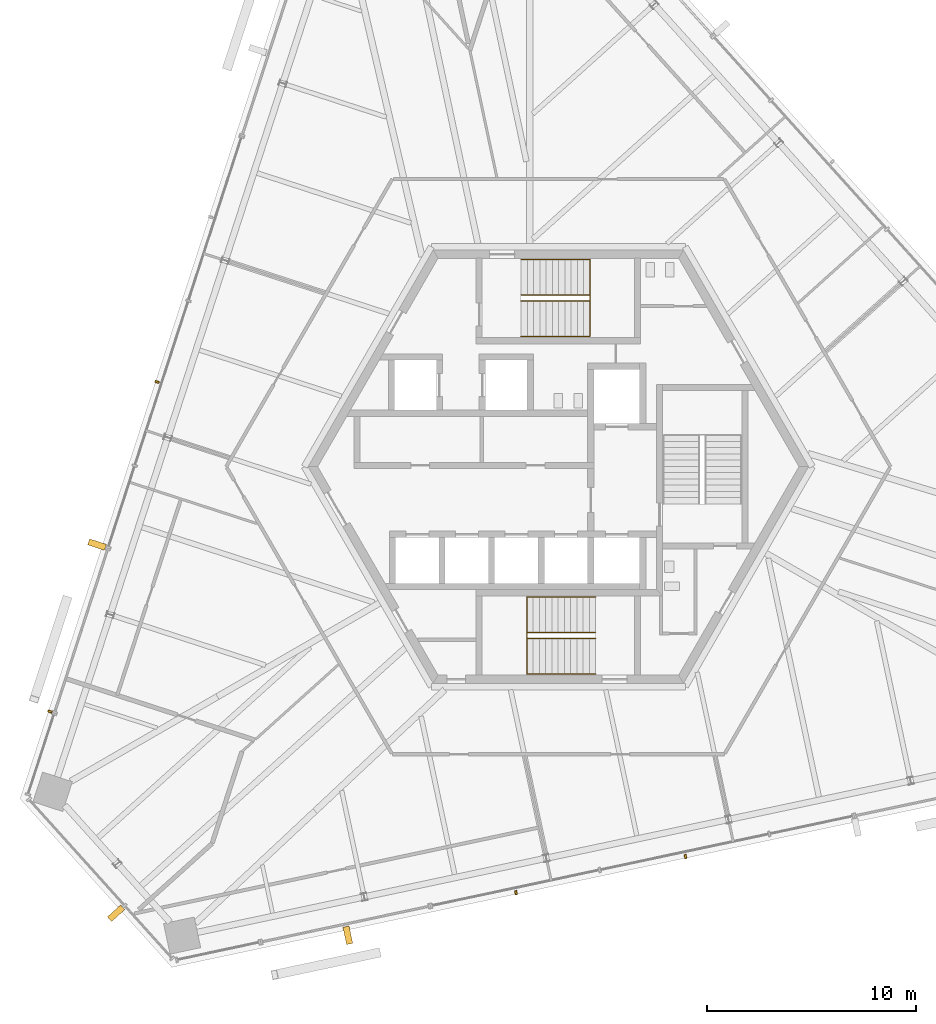
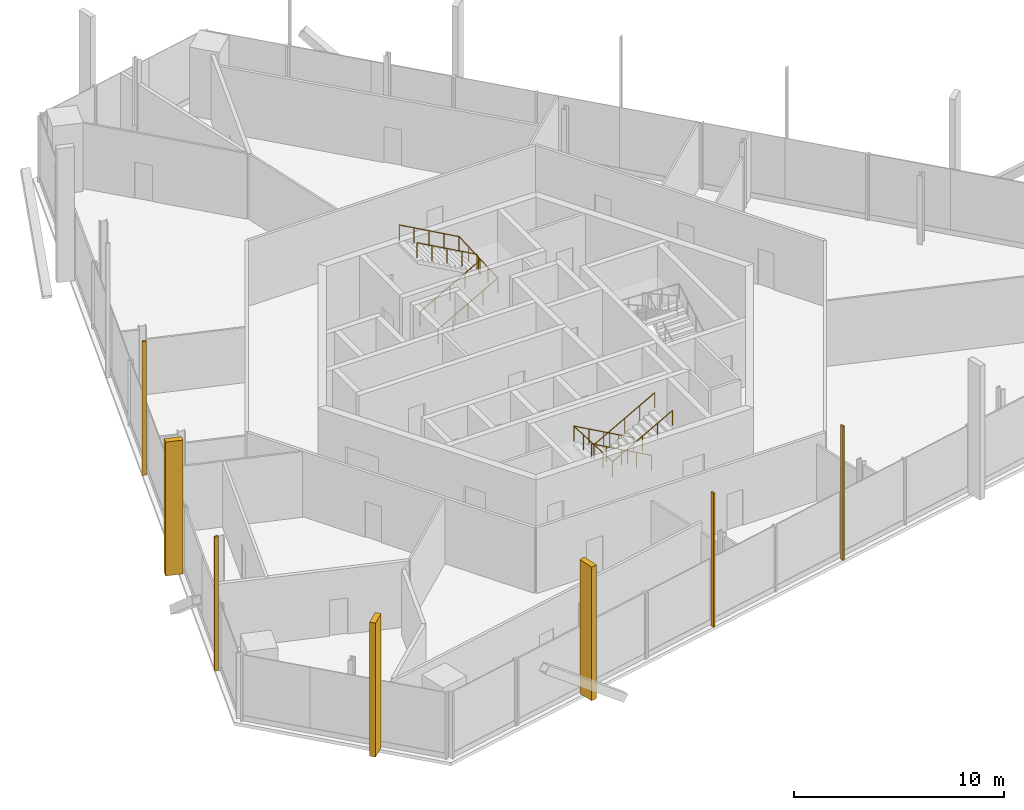
# One storey, part 14 of 17: 7 shading devices, 4 railings.
"""IFC4 building model written with IfcOpenShell, lengths in metres."""

from ifc_helpers import new_model, si_unit, direction, frame, origin, origin_2d, place, context, subcontext, project, spatial, rectangle, circle, extrude, source, transform, mapped, material, type_object, element, save


model = new_model("IFC4")

# Units and contexts
model_context = context("Model", 3, precision=1e-05, world=origin(), true_north=direction((0.0, 1.0)))
body_context = subcontext(model_context, "Body", "Model", "MODEL_VIEW")
ifc_project = project(units=[si_unit("LENGTHUNIT", "METRE"), si_unit("AREAUNIT", "SQUARE_METRE"), si_unit("VOLUMEUNIT", "CUBIC_METRE"), si_unit("PLANEANGLEUNIT", "RADIAN"), si_unit("MASSUNIT", "GRAM", prefix="KILO")], contexts=[model_context])

# Site, building, storey
site_placement = place(None, origin())
site = spatial("IfcSite", under=ifc_project, at=site_placement, CompositionType="ELEMENT")
building_placement = place(site_placement, origin())
building = spatial("IfcBuilding", under=site, at=building_placement, Name="Triune Harvest Tower", CompositionType="ELEMENT")
storey_placement = place(building_placement, frame((0.0, 0.0, 288.699951171875)))
storey = spatial("IfcBuildingStorey", under=building, at=storey_placement, Name="L76", CompositionType="ELEMENT", Elevation=288.699951171875)

# Railings
ifc_material_1 = material(Name="Stainless steel AISI 316", Category="steel")
railing_type = type_object("IfcRailingType", Name="Stair handrail", PredefinedType="HANDRAIL", material=ifc_material_1)
shared_shape_1 = source(origin(), body_context, "Body", "SweptSolid", [
    extrude(circle(Radius=0.02392578125, at=origin_2d()), frame((0.0, 0.0, 0.8759765625), z_axis=(0.874169478083, 0.0, 0.485620966999), x_axis=(0.0, 1.0, 0.0)), (0.0, 0.0, 1.0), 3.775146484375),
    extrude(circle(Radius=0.02392578125, at=origin_2d()), frame((3.300048828125, 0.0, 2.708984375), z_axis=(0.0, 0.998985998549, 0.045021935797), x_axis=(-1.0, 0.0, 0.0)), (0.0, 0.0, 1.0), 3.70361328125),
    extrude(circle(Radius=0.02392578125, at=origin_2d()), frame((3.300048828125, 3.699951171875, 2.8759765625), z_axis=(-0.874169478083, 0.0, 0.485620966999), x_axis=(0.0, -1.0, 0.0)), (0.0, 0.0, 1.0), 3.775146484375),
    extrude(circle(Radius=0.02099609375, at=origin_2d()), origin(), (0.0, 0.0, 1.0), 0.851806640625),
    extrude(circle(Radius=0.02099609375, at=origin_2d()), frame((0.824951171875, 0.0, 0.458251953125)), (0.0, 0.0, 1.0), 0.851806640625),
    extrude(circle(Radius=0.02099609375, at=origin_2d()), frame((1.64990234375, 0.0, 0.91650390625)), (0.0, 0.0, 1.0), 0.851806640625),
    extrude(circle(Radius=0.02099609375, at=origin_2d()), frame((2.47509765625, 0.0, 1.375)), (0.0, 0.0, 1.0), 0.851806640625),
    extrude(circle(Radius=0.02099609375, at=origin_2d()), frame((3.300048828125, 0.0, 1.833251953125)), (0.0, 0.0, 1.0), 0.851806640625),
    extrude(circle(Radius=0.02099609375, at=origin_2d()), frame((3.300048828125, 0.925048828125, 1.875)), (0.0, 0.0, 1.0), 0.851806640625),
    extrude(circle(Radius=0.02099609375, at=origin_2d()), frame((3.300048828125, 1.85009765625, 1.91650390625)), (0.0, 0.0, 1.0), 0.851806640625),
    extrude(circle(Radius=0.02099609375, at=origin_2d()), frame((3.300048828125, 2.77490234375, 1.958251953125)), (0.0, 0.0, 1.0), 0.851806640625),
    extrude(circle(Radius=0.02099609375, at=origin_2d()), frame((3.300048828125, 3.699951171875, 2.0)), (0.0, 0.0, 1.0), 0.851806640625),
    extrude(circle(Radius=0.02099609375, at=origin_2d()), frame((2.47509765625, 3.699951171875, 2.458251953125)), (0.0, 0.0, 1.0), 0.851806640625),
    extrude(circle(Radius=0.02099609375, at=origin_2d()), frame((1.64990234375, 3.699951171875, 2.91650390625)), (0.0, 0.0, 1.0), 0.851806640625),
    extrude(circle(Radius=0.02099609375, at=origin_2d()), frame((0.824951171875, 3.699951171875, 3.375)), (0.0, 0.0, 1.0), 0.851806640625),
    extrude(circle(Radius=0.02099609375, at=origin_2d()), frame((0.0, 3.699951171875, 3.833251953125)), (0.0, 0.0, 1.0), 0.851806640625),
])
railing_1_placement = place(storey_placement, frame((-1.7900390625, 6.239990234375, 0.166748046875)))
element("IfcRailing", 1, at=railing_1_placement, inside=storey, type_object=railing_type, Name="Exit stair north wall handrail", PredefinedType="HANDRAIL", context=body_context, shape_type="MappedRepresentation", body=[
    mapped(shared_shape_1, transform((0.0, 0.0, 0.0), scale=1.0)),
])
shared_shape_2 = source(origin(), body_context, "Body", "SweptSolid", [
    extrude(circle(Radius=0.02392578125, at=origin_2d()), frame((0.0, 0.0, 0.8759765625), z_axis=(0.874169478083, 0.0, 0.485620966999), x_axis=(0.0, 1.0, 0.0)), (0.0, 0.0, 1.0), 3.775146484375),
    extrude(circle(Radius=0.02392578125, at=origin_2d()), frame((3.300048828125, 0.0, 2.708984375), z_axis=(0.0, 0.874090171491, 0.485763699861), x_axis=(-1.0, 0.0, 0.0)), (0.0, 0.0, 1.0), 0.34326171875),
    extrude(circle(Radius=0.02392578125, at=origin_2d()), frame((3.300048828125, 0.300048828125, 2.8759765625), z_axis=(-0.874169478083, 0.0, 0.485620966999), x_axis=(0.0, -1.0, 0.0)), (0.0, 0.0, 1.0), 3.775146484375),
    extrude(circle(Radius=0.02099609375, at=origin_2d()), origin(), (0.0, 0.0, 1.0), 0.851806640625),
    extrude(circle(Radius=0.02099609375, at=origin_2d()), frame((0.824951171875, 0.0, 0.458251953125)), (0.0, 0.0, 1.0), 0.851806640625),
    extrude(circle(Radius=0.02099609375, at=origin_2d()), frame((1.64990234375, 0.0, 0.91650390625)), (0.0, 0.0, 1.0), 0.851806640625),
    extrude(circle(Radius=0.02099609375, at=origin_2d()), frame((2.47509765625, 0.0, 1.375)), (0.0, 0.0, 1.0), 0.851806640625),
    extrude(circle(Radius=0.02099609375, at=origin_2d()), frame((3.300048828125, 0.0, 1.833251953125)), (0.0, 0.0, 1.0), 0.851806640625),
    extrude(circle(Radius=0.02099609375, at=origin_2d()), frame((3.300048828125, 0.300048828125, 2.0)), (0.0, 0.0, 1.0), 0.851806640625),
    extrude(circle(Radius=0.02099609375, at=origin_2d()), frame((2.47509765625, 0.300048828125, 2.458251953125)), (0.0, 0.0, 1.0), 0.851806640625),
    extrude(circle(Radius=0.02099609375, at=origin_2d()), frame((1.64990234375, 0.300048828125, 2.91650390625)), (0.0, 0.0, 1.0), 0.851806640625),
    extrude(circle(Radius=0.02099609375, at=origin_2d()), frame((0.824951171875, 0.300048828125, 3.375)), (0.0, 0.0, 1.0), 0.851806640625),
    extrude(circle(Radius=0.02099609375, at=origin_2d()), frame((0.0, 0.300048828125, 3.833251953125)), (0.0, 0.0, 1.0), 0.851806640625),
])
railing_2_placement = place(storey_placement, frame((-1.7900390625, 7.93994140625, 0.166748046875)))
element("IfcRailing", 2, at=railing_2_placement, inside=storey, type_object=railing_type, Name="Exit stair north centre handrail", PredefinedType="HANDRAIL", context=body_context, shape_type="MappedRepresentation", body=[
    mapped(shared_shape_2, transform((0.0, 0.0, 0.0), scale=1.0)),
])
shared_shape_3 = source(origin(), body_context, "Body", "SweptSolid", [
    extrude(circle(Radius=0.02392578125, at=origin_2d()), frame((0.0, 0.0, 0.8759765625), z_axis=(-0.874169478083, 0.0, 0.485620966999), x_axis=(0.0, -1.0, 0.0)), (0.0, 0.0, 1.0), 3.775146484375),
    extrude(circle(Radius=0.02392578125, at=origin_2d()), frame((-3.300048828125, 0.0, 2.708984375), z_axis=(0.0, -0.998985998549, 0.045021935797), x_axis=(1.0, 0.0, 0.0)), (0.0, 0.0, 1.0), 3.70361328125),
    extrude(circle(Radius=0.02392578125, at=origin_2d()), frame((-3.300048828125, -3.699951171875, 2.8759765625), z_axis=(0.874169478083, 0.0, 0.485620966999), x_axis=(0.0, 1.0, 0.0)), (0.0, 0.0, 1.0), 3.775146484375),
    extrude(circle(Radius=0.02099609375, at=origin_2d()), origin(), (0.0, 0.0, 1.0), 0.851806640625),
    extrude(circle(Radius=0.02099609375, at=origin_2d()), frame((-0.824951171875, 0.0, 0.458251953125)), (0.0, 0.0, 1.0), 0.851806640625),
    extrude(circle(Radius=0.02099609375, at=origin_2d()), frame((-1.64990234375, 0.0, 0.91650390625)), (0.0, 0.0, 1.0), 0.851806640625),
    extrude(circle(Radius=0.02099609375, at=origin_2d()), frame((-2.47509765625, 0.0, 1.375)), (0.0, 0.0, 1.0), 0.851806640625),
    extrude(circle(Radius=0.02099609375, at=origin_2d()), frame((-3.300048828125, 0.0, 1.833251953125)), (0.0, 0.0, 1.0), 0.851806640625),
    extrude(circle(Radius=0.02099609375, at=origin_2d()), frame((-3.300048828125, -0.925048828125, 1.875)), (0.0, 0.0, 1.0), 0.851806640625),
    extrude(circle(Radius=0.02099609375, at=origin_2d()), frame((-3.300048828125, -1.85009765625, 1.91650390625)), (0.0, 0.0, 1.0), 0.851806640625),
    extrude(circle(Radius=0.02099609375, at=origin_2d()), frame((-3.300048828125, -2.77490234375, 1.958251953125)), (0.0, 0.0, 1.0), 0.851806640625),
    extrude(circle(Radius=0.02099609375, at=origin_2d()), frame((-3.300048828125, -3.699951171875, 2.0)), (0.0, 0.0, 1.0), 0.851806640625),
    extrude(circle(Radius=0.02099609375, at=origin_2d()), frame((-2.47509765625, -3.699951171875, 2.458251953125)), (0.0, 0.0, 1.0), 0.851806640625),
    extrude(circle(Radius=0.02099609375, at=origin_2d()), frame((-1.64990234375, -3.699951171875, 2.91650390625)), (0.0, 0.0, 1.0), 0.851806640625),
    extrude(circle(Radius=0.02099609375, at=origin_2d()), frame((-0.824951171875, -3.699951171875, 3.375)), (0.0, 0.0, 1.0), 0.851806640625),
    extrude(circle(Radius=0.02099609375, at=origin_2d()), frame((0.0, -3.699951171875, 3.833251953125)), (0.0, 0.0, 1.0), 0.851806640625),
])
railing_3_placement = place(storey_placement, frame((1.7900390625, -6.239990234375, 0.166748046875)))
element("IfcRailing", 3, at=railing_3_placement, inside=storey, type_object=railing_type, Name="Exit stair south wall handrail", PredefinedType="HANDRAIL", context=body_context, shape_type="MappedRepresentation", body=[
    mapped(shared_shape_3, transform((0.0, 0.0, 0.0), scale=1.0)),
])
shared_shape_4 = source(origin(), body_context, "Body", "SweptSolid", [
    extrude(circle(Radius=0.02392578125, at=origin_2d()), frame((0.0, 0.0, 0.8759765625), z_axis=(-0.874169478083, 0.0, 0.485620966999), x_axis=(0.0, -1.0, 0.0)), (0.0, 0.0, 1.0), 3.775146484375),
    extrude(circle(Radius=0.02392578125, at=origin_2d()), frame((-3.300048828125, 0.0, 2.708984375), z_axis=(0.0, -0.874090171491, 0.485763699861), x_axis=(1.0, 0.0, 0.0)), (0.0, 0.0, 1.0), 0.34326171875),
    extrude(circle(Radius=0.02392578125, at=origin_2d()), frame((-3.300048828125, -0.300048828125, 2.8759765625), z_axis=(0.874169478083, 0.0, 0.485620966999), x_axis=(0.0, 1.0, 0.0)), (0.0, 0.0, 1.0), 3.775146484375),
    extrude(circle(Radius=0.02099609375, at=origin_2d()), origin(), (0.0, 0.0, 1.0), 0.851806640625),
    extrude(circle(Radius=0.02099609375, at=origin_2d()), frame((-0.824951171875, 0.0, 0.458251953125)), (0.0, 0.0, 1.0), 0.851806640625),
    extrude(circle(Radius=0.02099609375, at=origin_2d()), frame((-1.64990234375, 0.0, 0.91650390625)), (0.0, 0.0, 1.0), 0.851806640625),
    extrude(circle(Radius=0.02099609375, at=origin_2d()), frame((-2.47509765625, 0.0, 1.375)), (0.0, 0.0, 1.0), 0.851806640625),
    extrude(circle(Radius=0.02099609375, at=origin_2d()), frame((-3.300048828125, 0.0, 1.833251953125)), (0.0, 0.0, 1.0), 0.851806640625),
    extrude(circle(Radius=0.02099609375, at=origin_2d()), frame((-3.300048828125, -0.300048828125, 2.0)), (0.0, 0.0, 1.0), 0.851806640625),
    extrude(circle(Radius=0.02099609375, at=origin_2d()), frame((-2.47509765625, -0.300048828125, 2.458251953125)), (0.0, 0.0, 1.0), 0.851806640625),
    extrude(circle(Radius=0.02099609375, at=origin_2d()), frame((-1.64990234375, -0.300048828125, 2.91650390625)), (0.0, 0.0, 1.0), 0.851806640625),
    extrude(circle(Radius=0.02099609375, at=origin_2d()), frame((-0.824951171875, -0.300048828125, 3.375)), (0.0, 0.0, 1.0), 0.851806640625),
    extrude(circle(Radius=0.02099609375, at=origin_2d()), frame((0.0, -0.300048828125, 3.833251953125)), (0.0, 0.0, 1.0), 0.851806640625),
])
railing_4_placement = place(storey_placement, frame((1.7900390625, -7.93994140625, 0.166748046875)))
element("IfcRailing", 4, at=railing_4_placement, inside=storey, type_object=railing_type, Name="Exit stair south centre handrail", PredefinedType="HANDRAIL", context=body_context, shape_type="MappedRepresentation", body=[
    mapped(shared_shape_4, transform((0.0, 0.0, 0.0), scale=1.0)),
])

# Shading devices
ifc_material_2 = material(Name="Aluminium bronze anodised", Category="aluminium")
shared_shape_5 = source(origin(), body_context, "Body", "SweptSolid", [
    extrude(rectangle(XDim=0.300048828125, YDim=0.85009765625, at=origin_2d()), origin(), (0.0, 0.0, 1.0), 7.800048828125),
])
for number, where, z_axis, x_axis, name in (
    (5, (-22.117431640625, -3.73779296875, 0.0), (0.0, 0.0, 1.0), (-0.309016354995, -0.951056724042, 0.0), "FN-2 fin B7-F3.9 L76"),
    (6, (-21.204833984375, -21.414794921875, 0.0), (0.0, 0.0, 1.0), (0.669132031472, -0.743143542297, 0.0), "FN-2 fin B7-F4.3 L76"),
    (7, (-10.09423828125, -22.469482421875, 0.0), (0.0, 0.0, 1.0), (0.978147751834, 0.207910979944, 0.0), "FN-2 fin B7-F5.3 L76"),
):
    element("IfcShadingDevice", number, at=place(storey_placement, frame(where, z_axis=z_axis, x_axis=x_axis)), inside=storey, material=ifc_material_2, Name=name, ObjectType="FIN", PredefinedType="USERDEFINED", context=body_context, shape_type="MappedRepresentation", body=[
        mapped(shared_shape_5, transform((0.0, 0.0, 0.0), scale=1.0)),
    ])
shared_shape_6 = source(origin(), body_context, "Body", "SweptSolid", [
    extrude(rectangle(XDim=0.10009765625, YDim=0.199951171875, at=origin_2d()), origin(), (0.0, 0.0, 1.0), 7.800048828125),
])
for number, where, z_axis, x_axis, name in (
    (8, (-19.239990234375, 4.066650390625, 0.0), (0.0, 0.0, 1.0), (-0.309016354995, -0.951056724042, 0.0), "FN-1 fin B7-F3.7 L76"),
    (9, (-24.376708984375, -11.742919921875, 0.0), (0.0, 0.0, 1.0), (-0.309016354995, -0.951056724042, 0.0), "FN-1 fin B7-F3.11 L76"),
    (10, (-2.03173828125, -20.423583984375, 0.0), (0.0, 0.0, 1.0), (0.978147751834, 0.207910979944, 0.0), "FN-1 fin B7-F5.5 L76"),
    (11, (6.09814453125, -18.695556640625, 0.0), (0.0, 0.0, 1.0), (0.978147751834, 0.207910979944, 0.0), "FN-1 fin B7-F5.7 L76"),
):
    element("IfcShadingDevice", number, at=place(storey_placement, frame(where, z_axis=z_axis, x_axis=x_axis)), inside=storey, material=ifc_material_2, Name=name, ObjectType="FIN", PredefinedType="USERDEFINED", context=body_context, shape_type="MappedRepresentation", body=[
        mapped(shared_shape_6, transform((0.0, 0.0, 0.0), scale=1.0)),
    ])

save(model, "model.ifc")
